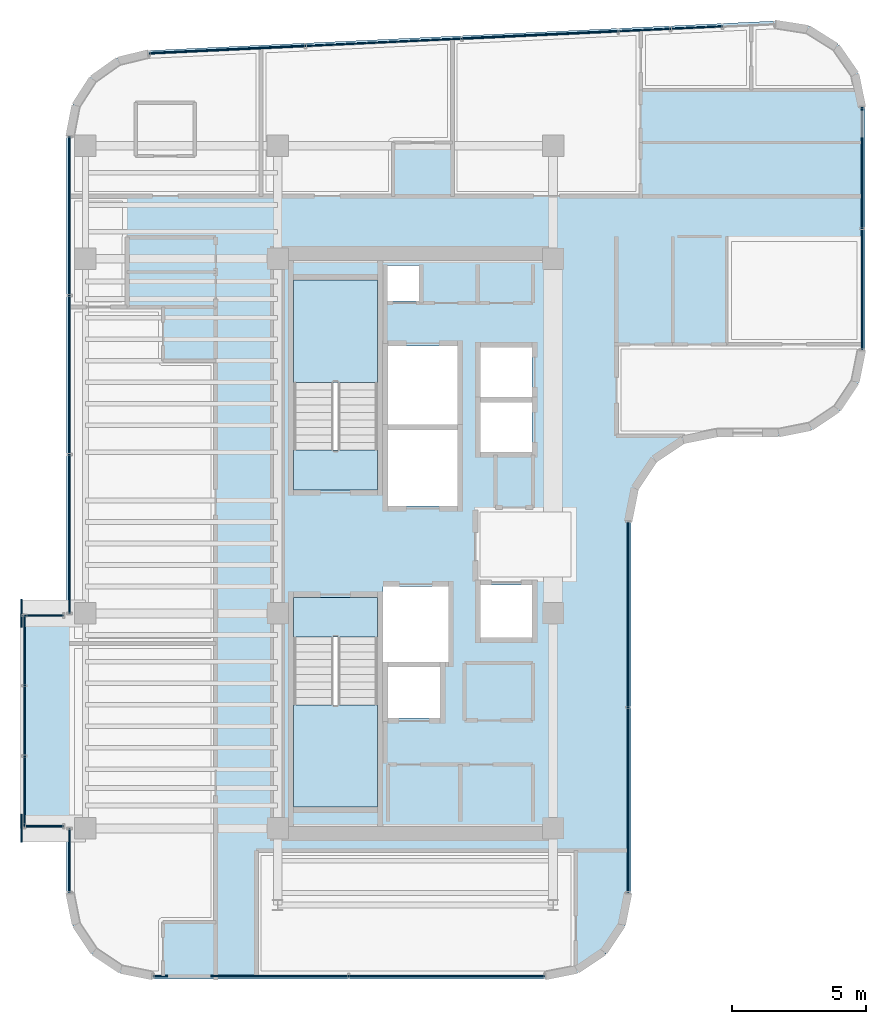
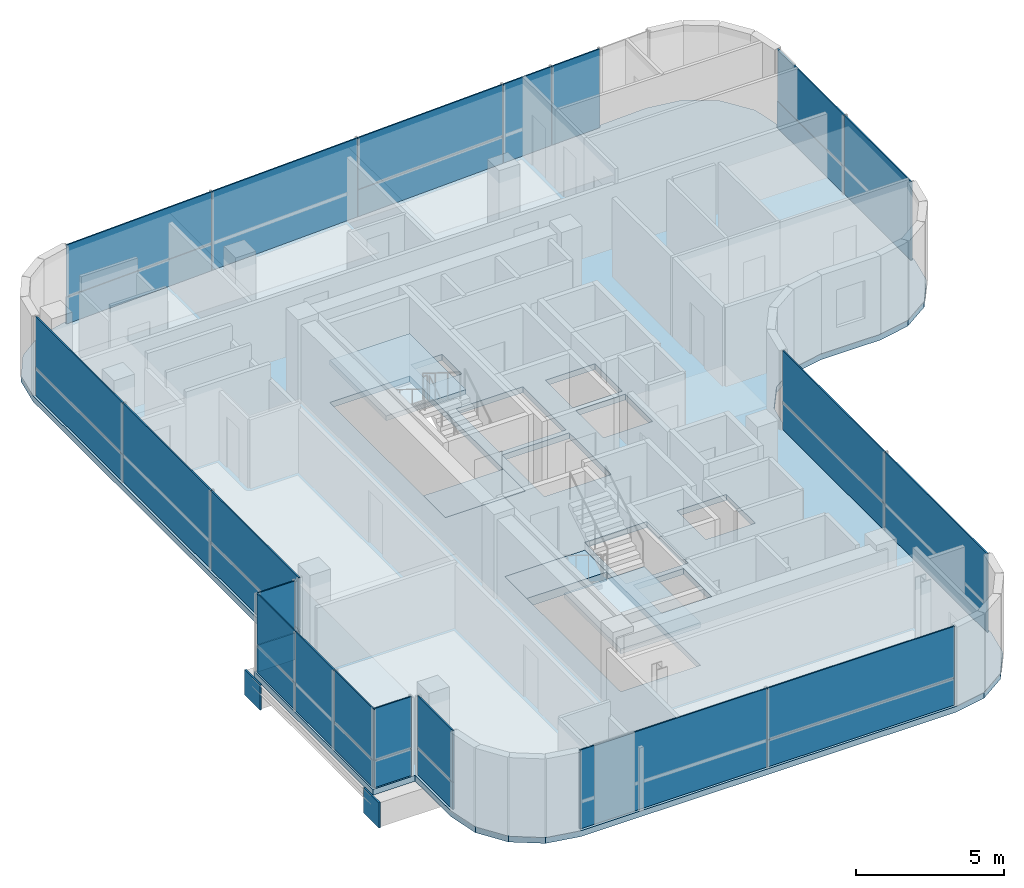
# One storey, part 13 of 19: 34 plates, 5 slabs, 11 elements without a shape of their own.
"""IFC4 building model written with IfcOpenShell, lengths in metres."""

from ifc_helpers import new_model, si_unit, direction, frame, origin, origin_2d, place, context, subcontext, project, spatial, polyline, rectangle, outline, extrude, source, transform, mapped, material, layer, layer_set, type_object, element, aggregate, save


model = new_model("IFC4")

# Units and contexts
model_context = context("Model", 3, precision=1e-05, world=origin(), true_north=direction((0.0, 1.0)))
body_context = subcontext(model_context, "Body", "Model", "MODEL_VIEW")
ifc_project = project(units=[si_unit("LENGTHUNIT", "METRE"), si_unit("AREAUNIT", "SQUARE_METRE"), si_unit("VOLUMEUNIT", "CUBIC_METRE"), si_unit("PLANEANGLEUNIT", "RADIAN"), si_unit("MASSUNIT", "GRAM", prefix="KILO")], contexts=[model_context])

# Site, building, storey
site_placement = place(None, origin())
site = spatial("IfcSite", under=ifc_project, at=site_placement, CompositionType="ELEMENT")
building_placement = place(site_placement, origin())
building = spatial("IfcBuilding", under=site, at=building_placement, Name="Valdorenza Pilgrim Sanctuary Tower", CompositionType="ELEMENT")
storey_placement = place(building_placement, frame((0.0, 0.0, 266.0)))
storey = spatial("IfcBuildingStorey", under=building, at=storey_placement, Name="L69", CompositionType="ELEMENT", Elevation=266.0)

# Slab
ifc_material_1 = material(Name="Concrete C40/50", Category="concrete")
ifc_layer_1 = layer(ifc_material_1, 0.239990234375, Name="Concrete C40/50")
ifc_layer_set_1 = layer_set([ifc_layer_1], Name="Concrete C40/50")
slab_type_1 = type_object("IfcSlabType", Name="SLAB-FLR-220", PredefinedType="FLOOR", material=ifc_layer_set_1)
slab_1_placement = place(storey_placement, frame((0.0, 0.0, -0.239990234375)))
element("IfcSlab", 1, at=slab_1_placement, inside=storey, type_object=slab_type_1, Name="L69 Structural Floor Slab 1", PredefinedType="FLOOR", context=body_context, shape_type="SweptSolid", body=[
    extrude(outline(polyline([(-32.14990234375, -2.60009765625), (-30.5, -2.60009765625), (-30.5, 15.147216796875), (-30.2705078125, 16.3369140625), (-29.615478515625, 17.356201171875), (-28.628173828125, 18.05859375), (-27.45068359375, 18.34375), (-4.150634765625, 19.442138671875), (-2.880615234375, 19.243408203125), (-1.791259765625, 18.56103515625), (-1.05810546875, 17.5048828125), (-0.800048828125, 16.24560546875), (-0.800048828125, 7.199951171875), (-1.043701171875, 5.975341796875), (-1.7373046875, 4.937255859375), (-2.775390625, 4.24365234375), (-4.0, 4.0), (-6.300048828125, 4.0), (-7.524658203125, 3.75634765625), (-8.562744140625, 3.062744140625), (-9.25634765625, 2.024658203125), (-9.5, 0.800048828125), (-9.5, -13.0), (-9.74365234375, -14.224609375), (-10.437255859375, -15.2626953125), (-11.475341796875, -15.956298828125), (-12.699951171875, -16.199951171875), (-27.300048828125, -16.199951171875), (-28.524658203125, -15.956298828125), (-29.562744140625, -15.2626953125), (-30.25634765625, -14.224609375), (-30.5, -13.0), (-30.5, -10.60009765625), (-32.14990234375, -10.60009765625), (-32.14990234375, -2.60009765625)]), holes=[polyline([(-22.050048828125, -9.800048828125), (-18.93994140625, -9.800048828125), (-18.93994140625, -3.485107421875), (-18.93994140625, -2.0), (-22.050048828125, -2.0), (-22.050048828125, -3.485107421875), (-22.050048828125, -9.800048828125)]), polyline([(-16.60009765625, -6.5), (-16.60009765625, -4.60009765625), (-18.550048828125, -4.60009765625), (-18.550048828125, -6.5), (-16.60009765625, -6.5)]), polyline([(-22.050048828125, 2.0), (-18.93994140625, 2.0), (-18.93994140625, 3.485107421875), (-18.93994140625, 9.800048828125), (-22.050048828125, 9.800048828125), (-22.050048828125, 3.485107421875), (-22.050048828125, 2.0)]), polyline([(-17.360107421875, 9.030029296875), (-17.360107421875, 10.35009765625), (-18.570068359375, 10.35009765625), (-18.570068359375, 9.030029296875), (-17.360107421875, 9.030029296875)]), polyline([(-16.300048828125, -1.60009765625), (-18.719970703125, -1.60009765625), (-18.719970703125, -4.39990234375), (-16.300048828125, -4.39990234375), (-16.300048828125, -1.60009765625)]), polyline([(-13.179931640625, -3.5), (-13.179931640625, -1.550048828125), (-15.10009765625, -1.550048828125), (-15.10009765625, -3.5), (-13.179931640625, -3.5)]), polyline([(-15.949951171875, 1.39990234375), (-15.949951171875, 4.22509765625), (-18.550048828125, 4.22509765625), (-18.550048828125, 1.39990234375), (-15.949951171875, 1.39990234375)]), polyline([(-13.179931640625, 5.25), (-15.10009765625, 5.25), (-15.10009765625, 3.39990234375), (-13.179931640625, 3.39990234375), (-13.179931640625, 5.25)]), polyline([(-15.949951171875, 4.425048828125), (-15.949951171875, 7.35009765625), (-18.550048828125, 7.35009765625), (-18.550048828125, 4.425048828125), (-15.949951171875, 4.425048828125)]), polyline([(-13.179931640625, 5.449951171875), (-13.179931640625, 7.300048828125), (-15.10009765625, 7.300048828125), (-15.10009765625, 5.449951171875), (-13.179931640625, 5.449951171875)])]), origin(), (0.0, 0.0, 1.0), 0.239990234375),
])

# Stair, slab
stair_type = type_object("IfcStairType", Name="STR-DOG-CORE", PredefinedType="HALF_TURN_STAIR", material=ifc_material_1)
stair_1_placement = place(storey_placement, origin())
stair_1 = element("IfcStair", 2, at=stair_1_placement, inside=storey, type_object=stair_type, Name="L69 ST-A1", PredefinedType="HALF_TURN_STAIR")
ifc_layer_2 = layer(ifc_material_1, 0.199951171875, Name="Concrete C40/50")
ifc_layer_set_2 = layer_set([ifc_layer_2], Name="Concrete C40/50")
slab_type_2 = type_object("IfcSlabType", Name="SLAB-STL-200", PredefinedType="LANDING", material=ifc_layer_set_2)
slab_2_placement = place(storey_placement, frame((0.0, 0.0, 1.550048828125)))
slab_2 = element("IfcSlab", 3, at=slab_2_placement, type_object=slab_type_2, Name="ST-A1 landing 1", PredefinedType="LANDING", context=body_context, shape_type="SweptSolid", body=[
    extrude(outline(polyline([(-18.93994140625, 6.0), (-18.93994140625, 9.800048828125), (-22.050048828125, 9.800048828125), (-22.050048828125, 6.0), (-18.93994140625, 6.0)])), origin(), (0.0, 0.0, 1.0), 0.199951171875),
])
aggregate(stair_1, [slab_2])

stair_2_placement = place(storey_placement, origin())
stair_2 = element("IfcStair", 4, at=stair_2_placement, inside=storey, type_object=stair_type, Name="L69 ST-A2", PredefinedType="HALF_TURN_STAIR")
slab_3_placement = place(storey_placement, frame((0.0, 0.0, 1.550048828125)))
slab_3 = element("IfcSlab", 5, at=slab_3_placement, type_object=slab_type_2, Name="ST-A2 landing 1", PredefinedType="LANDING", context=body_context, shape_type="SweptSolid", body=[
    extrude(outline(polyline([(-22.050048828125, -6.0), (-22.050048828125, -9.800048828125), (-18.93994140625, -9.800048828125), (-18.93994140625, -6.0), (-22.050048828125, -6.0)])), origin(), (0.0, 0.0, 1.0), 0.199951171875),
])
aggregate(stair_2, [slab_3])

# Slabs
ifc_material_2 = material(Name="Concrete C50/60", Category="concrete")
ifc_layer_3 = layer(ifc_material_2, 0.39990234375, Name="Concrete C50/60")
ifc_layer_set_3 = layer_set([ifc_layer_3], Name="Concrete C50/60")
slab_type_3 = type_object("IfcSlabType", Name="SLAB-TRF-400", PredefinedType="FLOOR", material=ifc_layer_set_3)
slab_4_placement = place(storey_placement, frame((0.0, 0.0, -0.360107421875)))
element("IfcSlab", 6, at=slab_4_placement, inside=storey, type_object=slab_type_3, Name="L69 ST-A1 Structural Stair Landing Bearing Slab", PredefinedType="FLOOR", context=body_context, shape_type="SweptSolid", body=[
    extrude(outline(polyline([(-22.050048828125, 2.0), (-18.93994140625, 2.0), (-18.93994140625, 3.485107421875), (-22.050048828125, 3.485107421875), (-22.050048828125, 2.0)])), origin(), (0.0, 0.0, 1.0), 0.360107421875),
])
slab_5_placement = place(storey_placement, frame((0.0, 0.0, -0.360107421875)))
element("IfcSlab", 7, at=slab_5_placement, inside=storey, type_object=slab_type_3, Name="L69 ST-A2 Structural Stair Landing Bearing Slab", PredefinedType="FLOOR", context=body_context, shape_type="SweptSolid", body=[
    extrude(outline(polyline([(-22.050048828125, -3.485107421875), (-18.93994140625, -3.485107421875), (-18.93994140625, -2.0), (-22.050048828125, -2.0), (-22.050048828125, -3.485107421875)])), origin(), (0.0, 0.0, 1.0), 0.360107421875),
])

# Plates
ifc_material_3 = material(Name="Steel ASTM A572 Grade 42", Category="steel")
ifc_layer_4 = layer(ifc_material_3, 0.06005859375, Name="Steel ASTM A572 Grade 42")
ifc_layer_set_4 = layer_set([ifc_layer_4], Name="Steel ASTM A572 Grade 42")
plate_type_1 = type_object("IfcPlateType", Name="PLT-CAP-60", PredefinedType="SHEET", material=ifc_layer_set_4)
shared_shape_1 = source(origin(), body_context, "Body", "SweptSolid", [
    extrude(rectangle(XDim=0.06005859375, YDim=1.0400390625, at=origin_2d()), origin(), (0.0, 0.0, 1.0), 1.0400390625),
])
for number, where, z_axis, x_axis, name in (
    (8, (-32.179931640625, -2.60009765625, -1.260009765625), (0.0, 0.0, 1.0), (1.0, 0.0, 0.0), "L69 BOX-WA-L69 Cantilever Tip End Cap N"),
    (9, (-32.179931640625, -10.60009765625, -1.260009765625), (0.0, 0.0, 1.0), (1.0, 0.0, 0.0), "L69 BOX-WA-L69 Cantilever Tip End Cap S"),
):
    element("IfcPlate", number, at=place(storey_placement, frame(where, z_axis=z_axis, x_axis=x_axis)), inside=storey, type_object=plate_type_1, Name=name, PredefinedType="SHEET", context=body_context, shape_type="MappedRepresentation", body=[
        mapped(shared_shape_1, transform((0.0, 0.0, 0.0), x_axis=(1.0, 0.0, 0.0), y_axis=(0.0, 1.0, 0.0), z_axis=(0.0, 0.0, 1.0), scale=1.0)),
    ])

# Curtain wall, plate
ifc_material_4 = material(Name="Curtain-wall IGU glazing", Category="glass")
curtain_wall_type = type_object("IfcCurtainWallType", Name="CW-SYS-02", PredefinedType="NOTDEFINED", material=ifc_material_4)
curtain_wall_1_placement = place(storey_placement, origin())
curtain_wall_1 = element("IfcCurtainWall", 10, at=curtain_wall_1_placement, inside=storey, type_object=curtain_wall_type, Name="L69 Curtain Wall CW-L69-BOX-WA-L69-S", PredefinedType="NOTDEFINED")
ifc_material_5 = material(Name="Honed travertine limestone", Category="masonry")
ifc_layer_5 = layer(ifc_material_5, 0.050048828125, Name="Honed travertine limestone")
ifc_layer_set_5 = layer_set([ifc_layer_5], Name="Honed travertine limestone")
plate_type_2 = type_object("IfcPlateType", Name="CW-SPN-TRV", PredefinedType="USERDEFINED", material=ifc_layer_set_5)
shared_shape_2 = source(origin(), body_context, "Body", "SweptSolid", [
    extrude(rectangle(XDim=1.43994140625, YDim=0.06005859375, at=origin_2d()), origin(), (0.0, 0.0, 1.0), 1.10009765625),
])
plate_1_placement = place(storey_placement, frame((-31.340087890625, -10.52001953125, 0.010009765625), z_axis=(0.0, 0.0, 1.0), x_axis=(-1.0, 0.0, 0.0)))
plate_1 = element("IfcPlate", 11, at=plate_1_placement, type_object=plate_type_2, Name="CW-L69-BOX-WA-L69-S Travertine Spandrel 1", ObjectType="SPANDREL", PredefinedType="USERDEFINED", context=body_context, shape_type="MappedRepresentation", body=[
    mapped(shared_shape_2, transform((0.0, 0.0, 0.0), x_axis=(1.0, 0.0, 0.0), y_axis=(0.0, 1.0, 0.0), z_axis=(0.0, 0.0, 1.0), scale=1.0)),
])

curtain_wall_2_placement = place(storey_placement, origin())
curtain_wall_2 = element("IfcCurtainWall", 12, at=curtain_wall_2_placement, inside=storey, type_object=curtain_wall_type, Name="L69 Curtain Wall CW-L69-BOX-WA-L69-N", PredefinedType="NOTDEFINED")
plate_2_placement = place(storey_placement, frame((-31.340087890625, -2.679931640625, 0.010009765625), z_axis=(0.0, 0.0, 1.0), x_axis=(1.0, 0.0, 0.0)))
plate_2 = element("IfcPlate", 13, at=plate_2_placement, type_object=plate_type_2, Name="CW-L69-BOX-WA-L69-N Travertine Spandrel 1", ObjectType="SPANDREL", PredefinedType="USERDEFINED", context=body_context, shape_type="MappedRepresentation", body=[
    mapped(shared_shape_2, transform((0.0, 0.0, 0.0), x_axis=(1.0, 0.0, 0.0), y_axis=(0.0, 1.0, 0.0), z_axis=(0.0, 0.0, 1.0), scale=1.0)),
])

# Curtain wall, plates
curtain_wall_3_placement = place(storey_placement, origin())
curtain_wall_3 = element("IfcCurtainWall", 14, at=curtain_wall_3_placement, inside=storey, type_object=curtain_wall_type, Name="L69 Curtain Wall CW-L69-BOX-WA-L69-F", PredefinedType="NOTDEFINED")
shared_shape_3 = source(origin(), body_context, "Body", "SweptSolid", [
    extrude(rectangle(XDim=2.59326171875, YDim=0.06005859375, at=origin_2d()), origin(), (0.0, 0.0, 1.0), 1.10009765625),
])
plate_3_placement = place(storey_placement, frame((-32.070068359375, -9.21337890625, 0.010009765625), z_axis=(0.0, 0.0, 1.0), x_axis=(0.0, 1.0, 0.0)))
plate_3 = element("IfcPlate", 15, at=plate_3_placement, type_object=plate_type_2, Name="CW-L69-BOX-WA-L69-F Travertine Spandrel 1", ObjectType="SPANDREL", PredefinedType="USERDEFINED", context=body_context, shape_type="MappedRepresentation", body=[
    mapped(shared_shape_3, transform((0.0, 0.0, 0.0), x_axis=(1.0, 0.0, 0.0), y_axis=(0.0, 1.0, 0.0), z_axis=(0.0, 0.0, 1.0), scale=1.0)),
])
plate_4_placement = place(storey_placement, frame((-32.070068359375, -3.98681640625, 0.010009765625), z_axis=(0.0, 0.0, 1.0), x_axis=(0.0, 1.0, 0.0)))
plate_4 = element("IfcPlate", 16, at=plate_4_placement, type_object=plate_type_2, Name="CW-L69-BOX-WA-L69-F Travertine Spandrel 3", ObjectType="SPANDREL", PredefinedType="USERDEFINED", context=body_context, shape_type="MappedRepresentation", body=[
    mapped(shared_shape_3, transform((0.0, 0.0, 0.0), x_axis=(1.0, 0.0, 0.0), y_axis=(0.0, 1.0, 0.0), z_axis=(0.0, 0.0, 1.0), scale=1.0)),
])

# Plate
ifc_material_6 = material(Name="Ceramic-fritted low-E IGU glazing", Category="glass")
ifc_layer_6 = layer(ifc_material_6, 0.035888671875, Name="Ceramic-fritted low-E IGU glazing")
ifc_layer_set_6 = layer_set([ifc_layer_6], Name="Ceramic-fritted low-E IGU glazing")
plate_type_3 = type_object("IfcPlateType", Name="CW-GLZ-IGU", PredefinedType="USERDEFINED", material=ifc_layer_set_6)
shared_shape_4 = source(origin(), body_context, "Body", "SweptSolid", [
    extrude(rectangle(XDim=1.43994140625, YDim=0.050048828125, at=origin_2d()), origin(), (0.0, 0.0, 1.0), 2.1201171875),
])
plate_5_placement = place(storey_placement, frame((-31.340087890625, -10.52001953125, 1.1298828125), z_axis=(0.0, 0.0, 1.0), x_axis=(-1.0, 0.0, 0.0)))
plate_5 = element("IfcPlate", 17, at=plate_5_placement, type_object=plate_type_3, Name="CW-L69-BOX-WA-L69-S Facade Panel 1", ObjectType="GLAZING", PredefinedType="USERDEFINED", context=body_context, shape_type="MappedRepresentation", body=[
    mapped(shared_shape_4, transform((0.0, 0.0, 0.0), x_axis=(1.0, 0.0, 0.0), y_axis=(0.0, 1.0, 0.0), z_axis=(0.0, 0.0, 1.0), scale=1.0)),
])

aggregate(curtain_wall_1, [plate_1, plate_5])

plate_6_placement = place(storey_placement, frame((-31.340087890625, -2.679931640625, 1.1298828125), z_axis=(0.0, 0.0, 1.0), x_axis=(1.0, 0.0, 0.0)))
plate_6 = element("IfcPlate", 18, at=plate_6_placement, type_object=plate_type_3, Name="CW-L69-BOX-WA-L69-N Facade Panel 1", ObjectType="GLAZING", PredefinedType="USERDEFINED", context=body_context, shape_type="MappedRepresentation", body=[
    mapped(shared_shape_4, transform((0.0, 0.0, 0.0), x_axis=(1.0, 0.0, 0.0), y_axis=(0.0, 1.0, 0.0), z_axis=(0.0, 0.0, 1.0), scale=1.0)),
])

aggregate(curtain_wall_2, [plate_2, plate_6])

shared_shape_5 = source(origin(), body_context, "Body", "SweptSolid", [
    extrude(rectangle(XDim=2.59326171875, YDim=0.050048828125, at=origin_2d()), origin(), (0.0, 0.0, 1.0), 2.1201171875),
])
plate_7_placement = place(storey_placement, frame((-32.070068359375, -9.21337890625, 1.1298828125), z_axis=(0.0, 0.0, 1.0), x_axis=(0.0, 1.0, 0.0)))
plate_7 = element("IfcPlate", 19, at=plate_7_placement, type_object=plate_type_3, Name="CW-L69-BOX-WA-L69-F Facade Panel 1", ObjectType="GLAZING", PredefinedType="USERDEFINED", context=body_context, shape_type="MappedRepresentation", body=[
    mapped(shared_shape_5, transform((0.0, 0.0, 0.0), x_axis=(1.0, 0.0, 0.0), y_axis=(0.0, 1.0, 0.0), z_axis=(0.0, 0.0, 1.0), scale=1.0)),
])

plate_8_placement = place(storey_placement, frame((-32.070068359375, -3.98681640625, 1.1298828125), z_axis=(0.0, 0.0, 1.0), x_axis=(0.0, 1.0, 0.0)))
plate_8 = element("IfcPlate", 20, at=plate_8_placement, type_object=plate_type_3, Name="CW-L69-BOX-WA-L69-F Facade Panel 3", ObjectType="GLAZING", PredefinedType="USERDEFINED", context=body_context, shape_type="MappedRepresentation", body=[
    mapped(shared_shape_5, transform((0.0, 0.0, 0.0), x_axis=(1.0, 0.0, 0.0), y_axis=(0.0, 1.0, 0.0), z_axis=(0.0, 0.0, 1.0), scale=1.0)),
])

shared_shape_6 = source(origin(), body_context, "Body", "SweptSolid", [
    extrude(rectangle(XDim=2.59326171875, YDim=0.050048828125, at=origin_2d()), origin(), (0.0, 0.0, 1.0), 3.239990234375),
])
plate_9_placement = place(storey_placement, frame((-32.070068359375, -6.60009765625, 0.009765625), z_axis=(0.0, 0.0, 1.0), x_axis=(0.0, 1.0, 0.0)))
plate_9 = element("IfcPlate", 21, at=plate_9_placement, type_object=plate_type_3, Name="CW-L69-BOX-WA-L69-F Full-Height Facade Panel 2", ObjectType="GLAZING", PredefinedType="USERDEFINED", context=body_context, shape_type="MappedRepresentation", body=[
    mapped(shared_shape_6, transform((0.0, 0.0, 0.0), x_axis=(1.0, 0.0, 0.0), y_axis=(0.0, 1.0, 0.0), z_axis=(0.0, 0.0, 1.0), scale=1.0)),
])

aggregate(curtain_wall_3, [plate_3, plate_7, plate_9, plate_4, plate_8])

# Curtain wall, plates
curtain_wall_4_placement = place(storey_placement, origin())
curtain_wall_4 = element("IfcCurtainWall", 22, at=curtain_wall_4_placement, inside=storey, type_object=curtain_wall_type, Name="L69 Curtain Wall CW-L69-1-6", PredefinedType="NOTDEFINED")
shared_shape_7 = source(origin(), body_context, "Body", "SweptSolid", [
    extrude(rectangle(XDim=5.805908203125, YDim=0.06005859375, at=origin_2d()), origin(), (0.0, 0.0, 1.0), 1.10009765625),
])
plate_10_placement = place(storey_placement, frame((-24.525146484375, 18.37158203125, 0.010009765625), z_axis=(0.0, 0.0, 1.0), x_axis=(0.998890696972, 0.047089016785, 0.0)))
plate_10 = element("IfcPlate", 23, at=plate_10_placement, type_object=plate_type_2, Name="CW-L69-1-6 Travertine Spandrel 1", ObjectType="SPANDREL", PredefinedType="USERDEFINED", context=body_context, shape_type="MappedRepresentation", body=[
    mapped(shared_shape_7, transform((0.0, 0.0, 0.0), x_axis=(1.0, 0.0, 0.0), y_axis=(0.0, 1.0, 0.0), z_axis=(0.0, 0.0, 1.0), scale=1.0)),
])
plate_11_placement = place(storey_placement, frame((-12.885986328125, 18.920166015625, 0.010009765625), z_axis=(0.0, 0.0, 1.0), x_axis=(0.998890696972, 0.047089016785, 0.0)))
plate_11 = element("IfcPlate", 24, at=plate_11_placement, type_object=plate_type_2, Name="CW-L69-1-6 Travertine Spandrel 3", ObjectType="SPANDREL", PredefinedType="USERDEFINED", context=body_context, shape_type="MappedRepresentation", body=[
    mapped(shared_shape_7, transform((0.0, 0.0, 0.0), x_axis=(1.0, 0.0, 0.0), y_axis=(0.0, 1.0, 0.0), z_axis=(0.0, 0.0, 1.0), scale=1.0)),
])
shared_shape_8 = source(origin(), body_context, "Body", "SweptSolid", [
    extrude(rectangle(XDim=5.805908203125, YDim=0.050048828125, at=origin_2d()), origin(), (0.0, 0.0, 1.0), 2.1201171875),
])
plate_12_placement = place(storey_placement, frame((-24.525146484375, 18.37158203125, 1.1298828125), z_axis=(0.0, 0.0, 1.0), x_axis=(0.998890696972, 0.047089016785, 0.0)))
plate_12 = element("IfcPlate", 25, at=plate_12_placement, type_object=plate_type_3, Name="CW-L69-1-6 Facade Panel 1", ObjectType="GLAZING", PredefinedType="USERDEFINED", context=body_context, shape_type="MappedRepresentation", body=[
    mapped(shared_shape_8, transform((0.0, 0.0, 0.0), x_axis=(1.0, 0.0, 0.0), y_axis=(0.0, 1.0, 0.0), z_axis=(0.0, 0.0, 1.0), scale=1.0)),
])
plate_13_placement = place(storey_placement, frame((-12.885986328125, 18.920166015625, 1.1298828125), z_axis=(0.0, 0.0, 1.0), x_axis=(0.998890696972, 0.047089016785, 0.0)))
plate_13 = element("IfcPlate", 26, at=plate_13_placement, type_object=plate_type_3, Name="CW-L69-1-6 Facade Panel 3", ObjectType="GLAZING", PredefinedType="USERDEFINED", context=body_context, shape_type="MappedRepresentation", body=[
    mapped(shared_shape_8, transform((0.0, 0.0, 0.0), x_axis=(1.0, 0.0, 0.0), y_axis=(0.0, 1.0, 0.0), z_axis=(0.0, 0.0, 1.0), scale=1.0)),
])
shared_shape_9 = source(origin(), body_context, "Body", "SweptSolid", [
    extrude(rectangle(XDim=5.805908203125, YDim=0.050048828125, at=origin_2d()), origin(), (0.0, 0.0, 1.0), 3.239990234375),
])
plate_14_placement = place(storey_placement, frame((-18.70556640625, 18.645751953125, 0.009765625), z_axis=(0.0, 0.0, 1.0), x_axis=(0.998890696972, 0.047089016785, 0.0)))
plate_14 = element("IfcPlate", 27, at=plate_14_placement, type_object=plate_type_3, Name="CW-L69-1-6 Full-Height Facade Panel 2", ObjectType="GLAZING", PredefinedType="USERDEFINED", context=body_context, shape_type="MappedRepresentation", body=[
    mapped(shared_shape_9, transform((0.0, 0.0, 0.0), x_axis=(1.0, 0.0, 0.0), y_axis=(0.0, 1.0, 0.0), z_axis=(0.0, 0.0, 1.0), scale=1.0)),
])

curtain_wall_5_placement = place(storey_placement, origin())
curtain_wall_5 = element("IfcCurtainWall", 28, at=curtain_wall_5_placement, inside=storey, type_object=curtain_wall_type, Name="L69 Curtain Wall CW-L69-1-11", PredefinedType="NOTDEFINED")
shared_shape_10 = source(origin(), body_context, "Body", "SweptSolid", [
    extrude(rectangle(XDim=4.49169921875, YDim=0.06005859375, at=origin_2d()), origin(), (0.0, 0.0, 1.0), 1.10009765625),
])
plate_15_placement = place(storey_placement, frame((-0.909912109375, 13.978515625, 0.010009765625), z_axis=(0.0, 0.0, 1.0), x_axis=(0.0, -1.0, 0.0)))
plate_15 = element("IfcPlate", 29, at=plate_15_placement, type_object=plate_type_2, Name="CW-L69-1-11 Travertine Spandrel 1", ObjectType="SPANDREL", PredefinedType="USERDEFINED", context=body_context, shape_type="MappedRepresentation", body=[
    mapped(shared_shape_10, transform((0.0, 0.0, 0.0), x_axis=(1.0, 0.0, 0.0), y_axis=(0.0, 1.0, 0.0), z_axis=(0.0, 0.0, 1.0), scale=1.0)),
])
shared_shape_11 = source(origin(), body_context, "Body", "SweptSolid", [
    extrude(rectangle(XDim=4.49169921875, YDim=0.050048828125, at=origin_2d()), origin(), (0.0, 0.0, 1.0), 2.1201171875),
])
plate_16_placement = place(storey_placement, frame((-0.909912109375, 13.978515625, 1.1298828125), z_axis=(0.0, 0.0, 1.0), x_axis=(0.0, -1.0, 0.0)))
plate_16 = element("IfcPlate", 30, at=plate_16_placement, type_object=plate_type_3, Name="CW-L69-1-11 Facade Panel 1", ObjectType="GLAZING", PredefinedType="USERDEFINED", context=body_context, shape_type="MappedRepresentation", body=[
    mapped(shared_shape_11, transform((0.0, 0.0, 0.0), x_axis=(1.0, 0.0, 0.0), y_axis=(0.0, 1.0, 0.0), z_axis=(0.0, 0.0, 1.0), scale=1.0)),
])
shared_shape_12 = source(origin(), body_context, "Body", "SweptSolid", [
    extrude(rectangle(XDim=4.49169921875, YDim=0.050048828125, at=origin_2d()), origin(), (0.0, 0.0, 1.0), 3.239990234375),
])
plate_17_placement = place(storey_placement, frame((-0.909912109375, 9.466796875, 0.009765625), z_axis=(0.0, 0.0, 1.0), x_axis=(0.0, -1.0, 0.0)))
plate_17 = element("IfcPlate", 31, at=plate_17_placement, type_object=plate_type_3, Name="CW-L69-1-11 Full-Height Facade Panel 2", ObjectType="GLAZING", PredefinedType="USERDEFINED", context=body_context, shape_type="MappedRepresentation", body=[
    mapped(shared_shape_12, transform((0.0, 0.0, 0.0), x_axis=(1.0, 0.0, 0.0), y_axis=(0.0, 1.0, 0.0), z_axis=(0.0, 0.0, 1.0), scale=1.0)),
])
aggregate(curtain_wall_5, [plate_15, plate_16, plate_17])

curtain_wall_6_placement = place(storey_placement, origin())
curtain_wall_6 = element("IfcCurtainWall", 32, at=curtain_wall_6_placement, inside=storey, type_object=curtain_wall_type, Name="L69 Curtain Wall CW-L69-1-21", PredefinedType="NOTDEFINED")
shared_shape_13 = source(origin(), body_context, "Body", "SweptSolid", [
    extrude(rectangle(XDim=6.8798828125, YDim=0.06005859375, at=origin_2d()), origin(), (0.0, 0.0, 1.0), 1.10009765625),
])
plate_18_placement = place(storey_placement, frame((-9.610107421875, -2.63916015625, 0.010009765625), z_axis=(0.0, 0.0, 1.0), x_axis=(0.0, -1.0, 0.0)))
plate_18 = element("IfcPlate", 33, at=plate_18_placement, type_object=plate_type_2, Name="CW-L69-1-21 Travertine Spandrel 1", ObjectType="SPANDREL", PredefinedType="USERDEFINED", context=body_context, shape_type="MappedRepresentation", body=[
    mapped(shared_shape_13, transform((0.0, 0.0, 0.0), x_axis=(1.0, 0.0, 0.0), y_axis=(0.0, 1.0, 0.0), z_axis=(0.0, 0.0, 1.0), scale=1.0)),
])
shared_shape_14 = source(origin(), body_context, "Body", "SweptSolid", [
    extrude(rectangle(XDim=6.8798828125, YDim=0.050048828125, at=origin_2d()), origin(), (0.0, 0.0, 1.0), 2.1201171875),
])
plate_19_placement = place(storey_placement, frame((-9.610107421875, -2.63916015625, 1.1298828125), z_axis=(0.0, 0.0, 1.0), x_axis=(0.0, -1.0, 0.0)))
plate_19 = element("IfcPlate", 34, at=plate_19_placement, type_object=plate_type_3, Name="CW-L69-1-21 Facade Panel 1", ObjectType="GLAZING", PredefinedType="USERDEFINED", context=body_context, shape_type="MappedRepresentation", body=[
    mapped(shared_shape_14, transform((0.0, 0.0, 0.0), x_axis=(1.0, 0.0, 0.0), y_axis=(0.0, 1.0, 0.0), z_axis=(0.0, 0.0, 1.0), scale=1.0)),
])
shared_shape_15 = source(origin(), body_context, "Body", "SweptSolid", [
    extrude(rectangle(XDim=6.8798828125, YDim=0.050048828125, at=origin_2d()), origin(), (0.0, 0.0, 1.0), 3.239990234375),
])
plate_20_placement = place(storey_placement, frame((-9.610107421875, -9.539306640625, 0.009765625), z_axis=(0.0, 0.0, 1.0), x_axis=(0.0, -1.0, 0.0)))
plate_20 = element("IfcPlate", 35, at=plate_20_placement, type_object=plate_type_3, Name="CW-L69-1-21 Full-Height Facade Panel 2", ObjectType="GLAZING", PredefinedType="USERDEFINED", context=body_context, shape_type="MappedRepresentation", body=[
    mapped(shared_shape_15, transform((0.0, 0.0, 0.0), x_axis=(1.0, 0.0, 0.0), y_axis=(0.0, 1.0, 0.0), z_axis=(0.0, 0.0, 1.0), scale=1.0)),
])
aggregate(curtain_wall_6, [plate_18, plate_19, plate_20])

curtain_wall_7_placement = place(storey_placement, origin())
curtain_wall_7 = element("IfcCurtainWall", 36, at=curtain_wall_7_placement, inside=storey, type_object=curtain_wall_type, Name="L69 Curtain Wall CW-L69-1-26", PredefinedType="NOTDEFINED")
shared_shape_16 = source(origin(), body_context, "Body", "SweptSolid", [
    extrude(rectangle(XDim=7.269287109375, YDim=0.06005859375, at=origin_2d()), origin(), (0.0, 0.0, 1.0), 1.10009765625),
])
plate_21_placement = place(storey_placement, frame((-16.35546875, -16.090087890625, 0.010009765625), z_axis=(0.0, 0.0, 1.0), x_axis=(-1.0, 0.0, 0.0)))
plate_21 = element("IfcPlate", 37, at=plate_21_placement, type_object=plate_type_2, Name="CW-L69-1-26 Travertine Spandrel 1", ObjectType="SPANDREL", PredefinedType="USERDEFINED", context=body_context, shape_type="MappedRepresentation", body=[
    mapped(shared_shape_16, transform((0.0, 0.0, 0.0), x_axis=(1.0, 0.0, 0.0), y_axis=(0.0, 1.0, 0.0), z_axis=(0.0, 0.0, 1.0), scale=1.0)),
])
shared_shape_17 = source(origin(), body_context, "Body", "SweptSolid", [
    extrude(rectangle(XDim=7.269287109375, YDim=0.050048828125, at=origin_2d()), origin(), (0.0, 0.0, 1.0), 2.1201171875),
])
plate_22_placement = place(storey_placement, frame((-16.35546875, -16.090087890625, 1.1298828125), z_axis=(0.0, 0.0, 1.0), x_axis=(-1.0, 0.0, 0.0)))
plate_22 = element("IfcPlate", 38, at=plate_22_placement, type_object=plate_type_3, Name="CW-L69-1-26 Facade Panel 1", ObjectType="GLAZING", PredefinedType="USERDEFINED", context=body_context, shape_type="MappedRepresentation", body=[
    mapped(shared_shape_17, transform((0.0, 0.0, 0.0), x_axis=(1.0, 0.0, 0.0), y_axis=(0.0, 1.0, 0.0), z_axis=(0.0, 0.0, 1.0), scale=1.0)),
])
shared_shape_18 = source(origin(), body_context, "Body", "SweptSolid", [
    extrude(rectangle(XDim=7.269287109375, YDim=0.050048828125, at=origin_2d()), origin(), (0.0, 0.0, 1.0), 3.239990234375),
])
plate_23_placement = place(storey_placement, frame((-23.64453125, -16.090087890625, 0.009765625), z_axis=(0.0, 0.0, 1.0), x_axis=(-1.0, 0.0, 0.0)))
plate_23 = element("IfcPlate", 39, at=plate_23_placement, type_object=plate_type_3, Name="CW-L69-1-26 Full-Height Facade Panel 2", ObjectType="GLAZING", PredefinedType="USERDEFINED", context=body_context, shape_type="MappedRepresentation", body=[
    mapped(shared_shape_18, transform((0.0, 0.0, 0.0), x_axis=(1.0, 0.0, 0.0), y_axis=(0.0, 1.0, 0.0), z_axis=(0.0, 0.0, 1.0), scale=1.0)),
])
aggregate(curtain_wall_7, [plate_21, plate_22, plate_23])

curtain_wall_8_placement = place(storey_placement, origin())
curtain_wall_8 = element("IfcCurtainWall", 40, at=curtain_wall_8_placement, inside=storey, type_object=curtain_wall_type, Name="L69 Curtain Wall CW-L69-1-1S1", PredefinedType="NOTDEFINED")
shared_shape_19 = source(origin(), body_context, "Body", "SweptSolid", [
    extrude(rectangle(XDim=2.369140625, YDim=0.06005859375, at=origin_2d()), origin(), (0.0, 0.0, 1.0), 1.10009765625),
])
plate_24_placement = place(storey_placement, frame((-30.389892578125, -11.794677734375, 0.010009765625), z_axis=(0.0, 0.0, 1.0), x_axis=(0.0, 1.0, 0.0)))
plate_24 = element("IfcPlate", 41, at=plate_24_placement, type_object=plate_type_2, Name="CW-L69-1-1S1 Travertine Spandrel 1", ObjectType="SPANDREL", PredefinedType="USERDEFINED", context=body_context, shape_type="MappedRepresentation", body=[
    mapped(shared_shape_19, transform((0.0, 0.0, 0.0), x_axis=(1.0, 0.0, 0.0), y_axis=(0.0, 1.0, 0.0), z_axis=(0.0, 0.0, 1.0), scale=1.0)),
])
shared_shape_20 = source(origin(), body_context, "Body", "SweptSolid", [
    extrude(rectangle(XDim=2.369140625, YDim=0.050048828125, at=origin_2d()), origin(), (0.0, 0.0, 1.0), 2.1201171875),
])
plate_25_placement = place(storey_placement, frame((-30.389892578125, -11.794677734375, 1.1298828125), z_axis=(0.0, 0.0, 1.0), x_axis=(0.0, 1.0, 0.0)))
plate_25 = element("IfcPlate", 42, at=plate_25_placement, type_object=plate_type_3, Name="CW-L69-1-1S1 Facade Panel 1", ObjectType="GLAZING", PredefinedType="USERDEFINED", context=body_context, shape_type="MappedRepresentation", body=[
    mapped(shared_shape_20, transform((0.0, 0.0, 0.0), x_axis=(1.0, 0.0, 0.0), y_axis=(0.0, 1.0, 0.0), z_axis=(0.0, 0.0, 1.0), scale=1.0)),
])
aggregate(curtain_wall_8, [plate_24, plate_25])

curtain_wall_9_placement = place(storey_placement, origin())
curtain_wall_9 = element("IfcCurtainWall", 43, at=curtain_wall_9_placement, inside=storey, type_object=curtain_wall_type, Name="L69 Curtain Wall CW-L69-1-1S2", PredefinedType="NOTDEFINED")
shared_shape_21 = source(origin(), body_context, "Body", "SweptSolid", [
    extrude(rectangle(XDim=5.892333984375, YDim=0.06005859375, at=origin_2d()), origin(), (0.0, 0.0, 1.0), 1.10009765625),
])
plate_26_placement = place(storey_placement, frame((-30.389892578125, 0.356201171875, 0.010009765625), z_axis=(0.0, 0.0, 1.0), x_axis=(0.0, 1.0, 0.0)))
plate_26 = element("IfcPlate", 44, at=plate_26_placement, type_object=plate_type_2, Name="CW-L69-1-1S2 Travertine Spandrel 1", ObjectType="SPANDREL", PredefinedType="USERDEFINED", context=body_context, shape_type="MappedRepresentation", body=[
    mapped(shared_shape_21, transform((0.0, 0.0, 0.0), x_axis=(1.0, 0.0, 0.0), y_axis=(0.0, 1.0, 0.0), z_axis=(0.0, 0.0, 1.0), scale=1.0)),
])
plate_27_placement = place(storey_placement, frame((-30.389892578125, 12.1806640625, 0.010009765625), z_axis=(0.0, 0.0, 1.0), x_axis=(0.0, 1.0, 0.0)))
plate_27 = element("IfcPlate", 45, at=plate_27_placement, type_object=plate_type_2, Name="CW-L69-1-1S2 Travertine Spandrel 3", ObjectType="SPANDREL", PredefinedType="USERDEFINED", context=body_context, shape_type="MappedRepresentation", body=[
    mapped(shared_shape_21, transform((0.0, 0.0, 0.0), x_axis=(1.0, 0.0, 0.0), y_axis=(0.0, 1.0, 0.0), z_axis=(0.0, 0.0, 1.0), scale=1.0)),
])
shared_shape_22 = source(origin(), body_context, "Body", "SweptSolid", [
    extrude(rectangle(XDim=5.892333984375, YDim=0.050048828125, at=origin_2d()), origin(), (0.0, 0.0, 1.0), 2.1201171875),
])
plate_28_placement = place(storey_placement, frame((-30.389892578125, 0.356201171875, 1.1298828125), z_axis=(0.0, 0.0, 1.0), x_axis=(0.0, 1.0, 0.0)))
plate_28 = element("IfcPlate", 46, at=plate_28_placement, type_object=plate_type_3, Name="CW-L69-1-1S2 Facade Panel 1", ObjectType="GLAZING", PredefinedType="USERDEFINED", context=body_context, shape_type="MappedRepresentation", body=[
    mapped(shared_shape_22, transform((0.0, 0.0, 0.0), x_axis=(1.0, 0.0, 0.0), y_axis=(0.0, 1.0, 0.0), z_axis=(0.0, 0.0, 1.0), scale=1.0)),
])
plate_29_placement = place(storey_placement, frame((-30.389892578125, 12.1806640625, 1.1298828125), z_axis=(0.0, 0.0, 1.0), x_axis=(0.0, 1.0, 0.0)))
plate_29 = element("IfcPlate", 47, at=plate_29_placement, type_object=plate_type_3, Name="CW-L69-1-1S2 Facade Panel 3", ObjectType="GLAZING", PredefinedType="USERDEFINED", context=body_context, shape_type="MappedRepresentation", body=[
    mapped(shared_shape_22, transform((0.0, 0.0, 0.0), x_axis=(1.0, 0.0, 0.0), y_axis=(0.0, 1.0, 0.0), z_axis=(0.0, 0.0, 1.0), scale=1.0)),
])
shared_shape_23 = source(origin(), body_context, "Body", "SweptSolid", [
    extrude(rectangle(XDim=5.892333984375, YDim=0.050048828125, at=origin_2d()), origin(), (0.0, 0.0, 1.0), 3.239990234375),
])
plate_30_placement = place(storey_placement, frame((-30.389892578125, 6.268310546875, 0.009765625), z_axis=(0.0, 0.0, 1.0), x_axis=(0.0, 1.0, 0.0)))
plate_30 = element("IfcPlate", 48, at=plate_30_placement, type_object=plate_type_3, Name="CW-L69-1-1S2 Full-Height Facade Panel 2", ObjectType="GLAZING", PredefinedType="USERDEFINED", context=body_context, shape_type="MappedRepresentation", body=[
    mapped(shared_shape_23, transform((0.0, 0.0, 0.0), x_axis=(1.0, 0.0, 0.0), y_axis=(0.0, 1.0, 0.0), z_axis=(0.0, 0.0, 1.0), scale=1.0)),
])
aggregate(curtain_wall_9, [plate_26, plate_28, plate_30, plate_27, plate_29])

# Plate
shared_shape_24 = source(origin(), body_context, "Body", "SweptSolid", [
    extrude(rectangle(XDim=1.915283203125, YDim=0.050048828125, at=origin_2d()), origin(), (0.0, 0.0, 1.0), 3.239990234375),
])
plate_31_placement = place(storey_placement, frame((-8.999755859375, 19.103515625, 0.009765625), z_axis=(0.0, 0.0, 1.0), x_axis=(0.998890696972, 0.047089016785, 0.0)))
plate_31 = element("IfcPlate", 49, at=plate_31_placement, type_object=plate_type_3, Name="CW-L69-1-6 Full-Height Facade Panel 4 Sub 1", ObjectType="GLAZING", PredefinedType="USERDEFINED", context=body_context, shape_type="MappedRepresentation", body=[
    mapped(shared_shape_24, transform((0.0, 0.0, 0.0), x_axis=(1.0, 0.0, 0.0), y_axis=(0.0, 1.0, 0.0), z_axis=(0.0, 0.0, 1.0), scale=1.0)),
])

plate_32_placement = place(storey_placement, frame((-7.06640625, 19.194580078125, 0.009765625), z_axis=(0.0, 0.0, 1.0), x_axis=(0.998890696972, 0.047089016785, 0.0)))
plate_32 = element("IfcPlate", 50, at=plate_32_placement, type_object=plate_type_3, Name="CW-L69-1-6 Full-Height Facade Panel 4 Sub 2", ObjectType="GLAZING", PredefinedType="USERDEFINED", context=body_context, shape_type="MappedRepresentation", body=[
    mapped(shared_shape_24, transform((0.0, 0.0, 0.0), x_axis=(1.0, 0.0, 0.0), y_axis=(0.0, 1.0, 0.0), z_axis=(0.0, 0.0, 1.0), scale=1.0)),
])

aggregate(curtain_wall_4, [plate_10, plate_12, plate_14, plate_11, plate_13, plate_31, plate_32])

save(model, "model.ifc")
